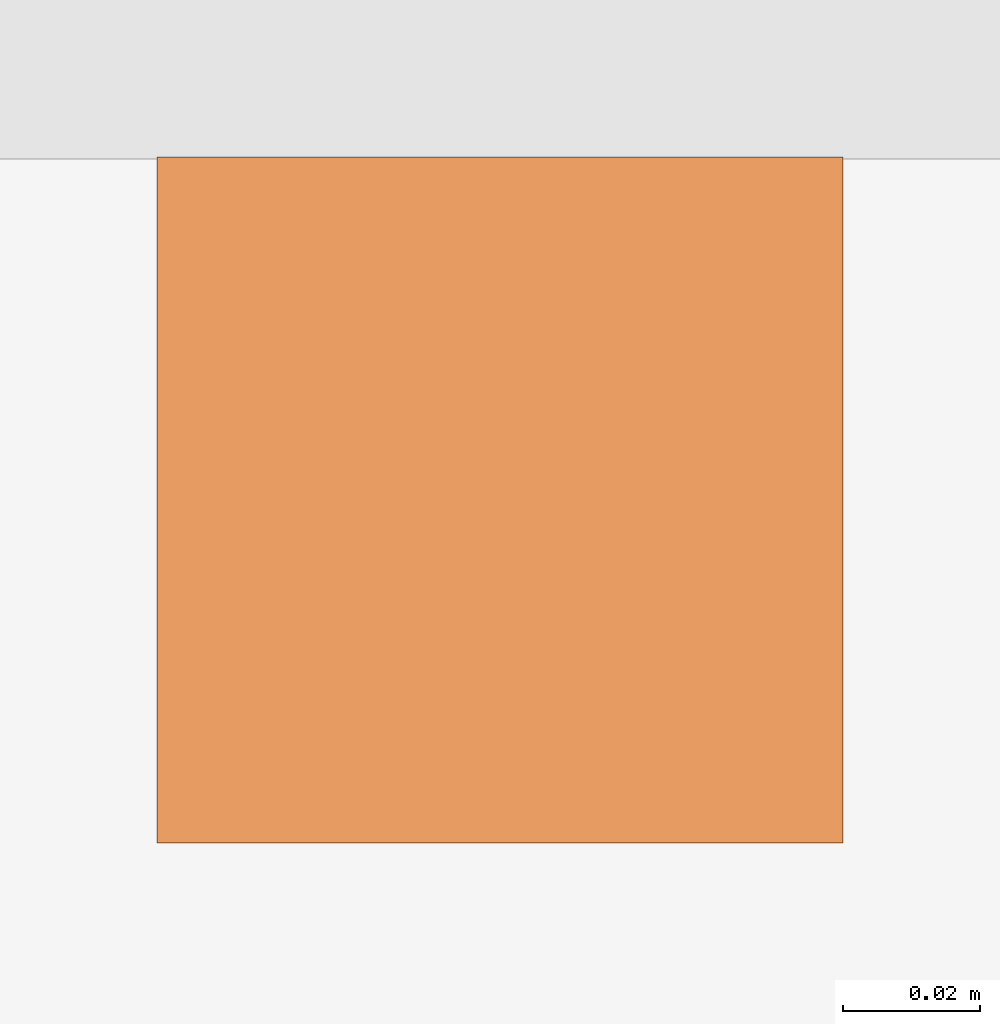
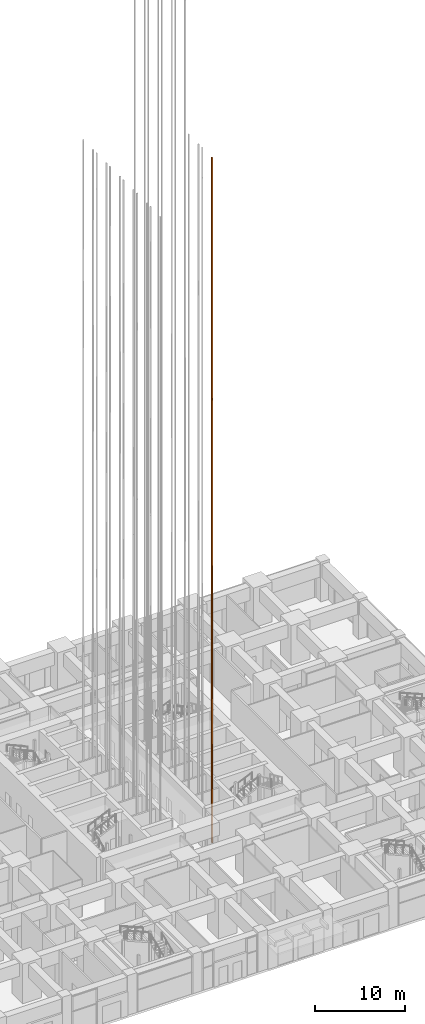
# One storey, part 62 of 81: 1 proxy.
"""IFC4 building model written with IfcOpenShell, lengths in metres."""

from ifc_helpers import new_model, si_unit, direction, frame, origin, origin_2d, place, context, subcontext, project, spatial, rectangle, extrude, material, type_object, element, save


model = new_model("IFC4")

# Units and contexts
model_context = context("Model", 3, precision=1e-05, world=origin(), true_north=direction((0.0, 1.0)))
body_context = subcontext(model_context, "Body", "Model", "MODEL_VIEW")
ifc_project = project(units=[si_unit("LENGTHUNIT", "METRE"), si_unit("AREAUNIT", "SQUARE_METRE"), si_unit("VOLUMEUNIT", "CUBIC_METRE"), si_unit("PLANEANGLEUNIT", "RADIAN"), si_unit("MASSUNIT", "GRAM", prefix="KILO")], contexts=[model_context])

# Site, building, storey
site_placement = place(None, origin())
site = spatial("IfcSite", under=ifc_project, at=site_placement, CompositionType="ELEMENT")
building_placement = place(site_placement, origin())
building = spatial("IfcBuilding", under=site, at=building_placement, Name="Rekha Terrace Tower", CompositionType="ELEMENT")
storey_placement = place(building_placement, origin())
storey = spatial("IfcBuildingStorey", under=building, at=storey_placement, Name="L00", CompositionType="ELEMENT", Elevation=0.0)

# Proxy
ifc_material = material(Name="Steel guide rail", Category="steel")
building_element_proxy_type = type_object("IfcBuildingElementProxyType", Name="LR1 100 lift guide rail", PredefinedType="ELEMENT", material=ifc_material)
proxy_placement = place(storey_placement, frame((41.14990234375, 23.800048828125, 0.0), z_axis=(0.0, 0.0, 1.0), x_axis=(1.0, 0.0, 0.0)))
element("IfcBuildingElementProxy", 1, at=proxy_placement, inside=storey, type_object=building_element_proxy_type, Name="Lift SH1 guide rail 1", PredefinedType="ELEMENT", context=body_context, shape_type="SweptSolid", body=[
    extrude(rectangle(XDim=0.10009765625, YDim=0.10009765625, at=origin_2d()), origin(), (0.0, 0.0, 1.0), 93.199951171875),
])

save(model, "model.ifc")
